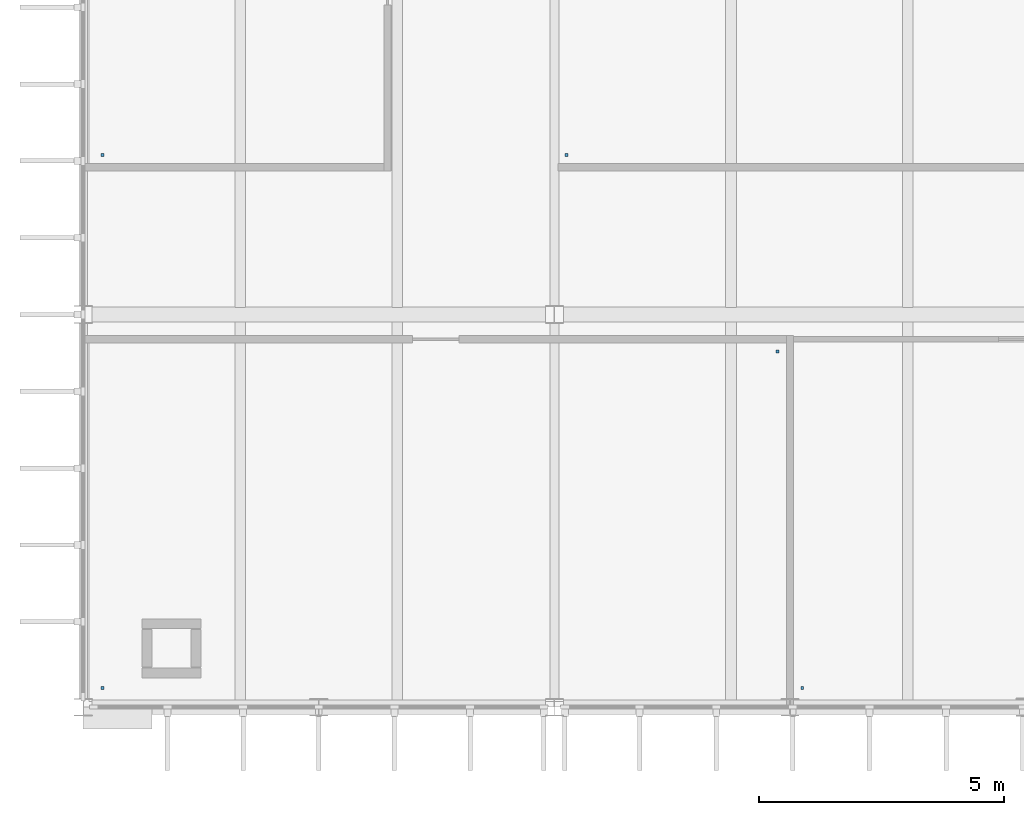
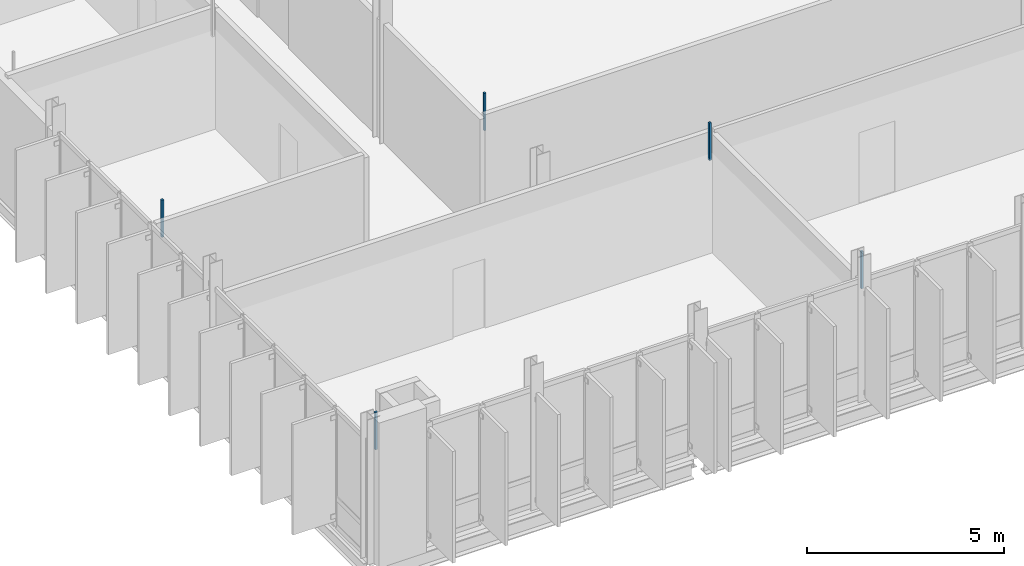
# One storey, part 69 of 110: 5 discrete accessories.
"""IFC4 building model written with IfcOpenShell, lengths in metres."""

from ifc_helpers import new_model, si_unit, direction, frame, origin, place, context, subcontext, project, spatial, polyline, outline, extrude, material, type_object, element, save


model = new_model("IFC4")

# Units and contexts
model_context = context("Model", 3, precision=1e-05, world=origin(), true_north=direction((0.0, 1.0)))
body_context = subcontext(model_context, "Body", "Model", "MODEL_VIEW")
ifc_project = project(units=[si_unit("LENGTHUNIT", "METRE"), si_unit("AREAUNIT", "SQUARE_METRE"), si_unit("VOLUMEUNIT", "CUBIC_METRE"), si_unit("PLANEANGLEUNIT", "RADIAN"), si_unit("MASSUNIT", "GRAM", prefix="KILO")], contexts=[model_context])

# Site, building, storey
site_placement = place(None, origin())
site = spatial("IfcSite", under=ifc_project, at=site_placement, CompositionType="ELEMENT")
building_placement = place(site_placement, origin())
building = spatial("IfcBuilding", under=site, at=building_placement, Name="Dunescarp Central Library", CompositionType="ELEMENT")
storey_placement = place(building_placement, frame((0.0, 0.0, 9.60009765625)))
storey = spatial("IfcBuildingStorey", under=building, at=storey_placement, Name="L02", CompositionType="ELEMENT", Elevation=9.60009765625)

# Discrete accessories
ifc_material = material(Name="Stainless steel Grade 316L", Category="steel")
discrete_accessory_type = type_object("IfcDiscreteAccessoryType", Name="ARC-ACC-BRK", PredefinedType="BRACKET", material=ifc_material)
discrete_accessory_1_placement = place(storey_placement, frame((0.0, 0.0, 3.059814453125)))
element("IfcDiscreteAccessory", 1, at=discrete_accessory_1_placement, inside=storey, type_object=discrete_accessory_type, Name="L02 ceiling hanger CLG-L02-017-H1", PredefinedType="BRACKET", context=body_context, shape_type="SweptSolid", body=[
    extrude(outline(polyline([(0.360107421875, 5.159912109375), (0.419921875, 5.159912109375), (0.419921875, 5.219970703125), (0.360107421875, 5.219970703125), (0.360107421875, 5.159912109375)])), origin(), (0.0, 0.0, 1.0), 1.16015625),
])
discrete_accessory_2_placement = place(storey_placement, frame((0.0, 0.0, 3.059814453125)))
element("IfcDiscreteAccessory", 2, at=discrete_accessory_2_placement, inside=storey, type_object=discrete_accessory_type, Name="L02 ceiling hanger CLG-L02-017-H2", PredefinedType="BRACKET", context=body_context, shape_type="SweptSolid", body=[
    extrude(outline(polyline([(14.1201171875, 12.02001953125), (14.179931640625, 12.02001953125), (14.179931640625, 12.080078125), (14.1201171875, 12.080078125), (14.1201171875, 12.02001953125)])), origin(), (0.0, 0.0, 1.0), 1.16015625),
])
discrete_accessory_3_placement = place(storey_placement, frame((0.0, 0.0, 3.059814453125)))
element("IfcDiscreteAccessory", 3, at=discrete_accessory_3_placement, inside=storey, type_object=discrete_accessory_type, Name="L02 ceiling hanger CLG-L02-018-H1", PredefinedType="BRACKET", context=body_context, shape_type="SweptSolid", body=[
    extrude(outline(polyline([(14.6201171875, 5.159912109375), (14.679931640625, 5.159912109375), (14.679931640625, 5.219970703125), (14.6201171875, 5.219970703125), (14.6201171875, 5.159912109375)])), origin(), (0.0, 0.0, 1.0), 1.16015625),
])
discrete_accessory_4_placement = place(storey_placement, frame((0.0, 0.0, 3.059814453125)))
element("IfcDiscreteAccessory", 4, at=discrete_accessory_4_placement, inside=storey, type_object=discrete_accessory_type, Name="L02 ceiling hanger CLG-L02-019-H1", PredefinedType="BRACKET", context=body_context, shape_type="SweptSolid", body=[
    extrude(outline(polyline([(0.360107421875, 16.02001953125), (0.419921875, 16.02001953125), (0.419921875, 16.080078125), (0.360107421875, 16.080078125), (0.360107421875, 16.02001953125)])), origin(), (0.0, 0.0, 1.0), 1.16015625),
])
discrete_accessory_5_placement = place(storey_placement, frame((0.0, 0.0, 3.059814453125)))
element("IfcDiscreteAccessory", 5, at=discrete_accessory_5_placement, inside=storey, type_object=discrete_accessory_type, Name="L02 ceiling hanger CLG-L02-021-H1", PredefinedType="BRACKET", context=body_context, shape_type="SweptSolid", body=[
    extrude(outline(polyline([(9.820068359375, 16.02001953125), (9.8798828125, 16.02001953125), (9.8798828125, 16.080078125), (9.820068359375, 16.080078125), (9.820068359375, 16.02001953125)])), origin(), (0.0, 0.0, 1.0), 1.16015625),
])

save(model, "model.ifc")
